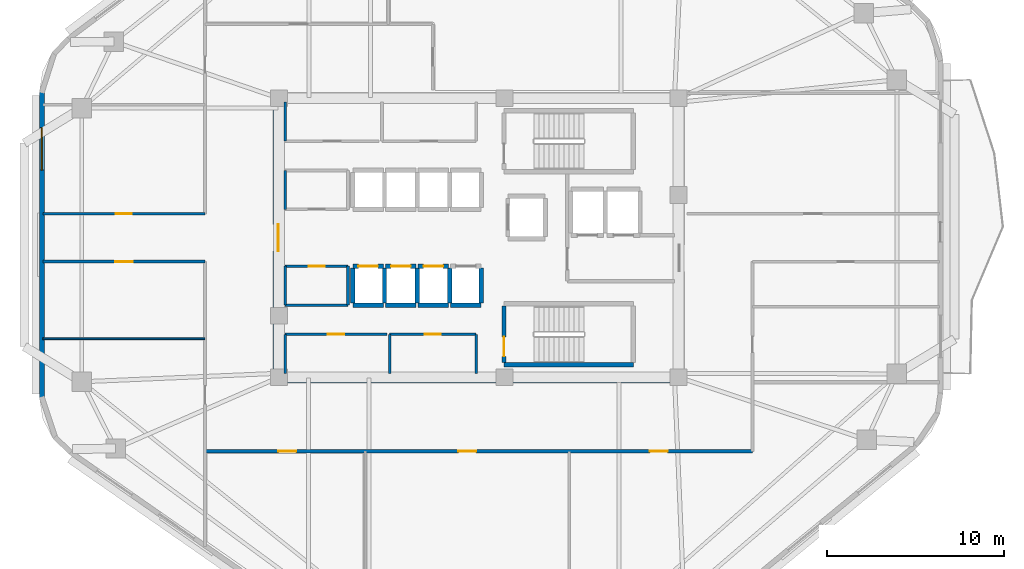
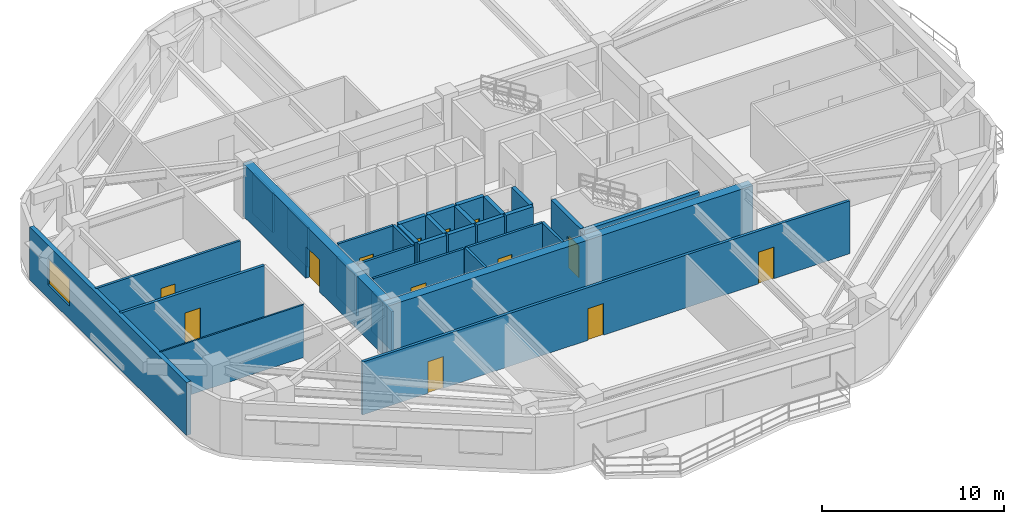
# One storey, part 3 of 8: 32 walls, 13 doors, 1 window, 14 openings.
"""IFC4 building model written with IfcOpenShell, lengths in metres."""

from ifc_helpers import new_model, si_unit, direction, frame, frame_2d, origin, place, context, subcontext, project, spatial, rectangle, extrude, material, layer, layer_set, type_object, element, fill, save


model = new_model("IFC4")

# Units and contexts
model_context = context("Model", 3, precision=1e-05, world=origin(), true_north=direction((0.0, 1.0)))
body_context = subcontext(model_context, "Body", "Model", "MODEL_VIEW")
ifc_project = project(units=[si_unit("LENGTHUNIT", "METRE"), si_unit("AREAUNIT", "SQUARE_METRE"), si_unit("VOLUMEUNIT", "CUBIC_METRE"), si_unit("PLANEANGLEUNIT", "RADIAN"), si_unit("MASSUNIT", "GRAM", prefix="KILO")], contexts=[model_context])

# Site, building, storey
site_placement = place(None, origin())
site = spatial("IfcSite", under=ifc_project, at=site_placement, CompositionType="ELEMENT")
building_placement = place(site_placement, origin())
building = spatial("IfcBuilding", under=site, at=building_placement, Name="Zulverin Broadcast Headquarters", CompositionType="ELEMENT")
storey_placement = place(building_placement, frame((0.0, 0.0, 136.39990234375)))
storey = spatial("IfcBuildingStorey", under=building, at=storey_placement, Name="L34", CompositionType="ELEMENT", Elevation=136.39990234375)

# Wall
ifc_material_1 = material(Name="Concrete C60/75", Category="concrete")
ifc_layer_1 = layer(ifc_material_1, 0.550048828125, Name="Concrete C60/75", Category="concrete")
ifc_layer_set_1 = layer_set([ifc_layer_1], Name="Concrete C60/75")
wall_type_1 = type_object("IfcWallType", Name="WL-CORE-550", PredefinedType="SHEAR", material=ifc_layer_set_1)
wall_1_placement = place(storey_placement, frame((25.39990234375, 17.27490234375, 0.0), z_axis=(0.0, 0.0, 1.0), x_axis=(1.0, 0.0, 0.0)))
element("IfcWall", 1, at=wall_1_placement, inside=storey, type_object=wall_type_1, Name="L34 Core South Shear Wall", PredefinedType="SHEAR", context=body_context, shape_type="SweptSolid", body=[
    extrude(rectangle(XDim=23.2001953125, YDim=0.550048828125, at=frame_2d((11.60009765625, 0.0))), origin(), (0.0, 0.0, 1.0), 3.5400390625),
])

# Wall, opening, door
wall_2_placement = place(storey_placement, frame((25.675048828125, 17.550048828125, 0.0), z_axis=(0.0, 0.0, 1.0), x_axis=(0.0, 1.0, 0.0)))
wall_2 = element("IfcWall", 2, at=wall_2_placement, inside=storey, type_object=wall_type_1, Name="L34 Core West Shear Wall", PredefinedType="SHEAR", context=body_context, shape_type="SweptSolid", body=[
    extrude(rectangle(XDim=15.300048828125, YDim=0.550048828125, at=frame_2d((7.64990234375, 0.0))), origin(), (0.0, 0.0, 1.0), 3.5400390625),
])
opening_1_placement = place(wall_2_placement, frame((6.89990234375, 0.0, 0.0)))
opening_1 = element("IfcOpeningElement", 3, at=opening_1_placement, cuts=wall_2, Name="Opening D-L34-CW1", PredefinedType="OPENING", context=body_context, shape_type="SweptSolid", body=[
    extrude(rectangle(XDim=1.5, YDim=2.14990234375, at=frame_2d((0.75, 1.074951171875))), frame((0.0, 0.284912109375, 0.0), z_axis=(0.0, -1.0, 0.0), x_axis=(1.0, 0.0, 0.0)), (0.0, 0.0, 1.0), 0.570068359375),
])
ifc_material_2 = material(Name="Fire-rated glazed steel frame", Category="steel")
door_type_1 = type_object("IfcDoorType", Name="DR-COR-1500", OperationType="DOUBLE_DOOR_SINGLE_SWING", PredefinedType="DOOR", material=ifc_material_2)
door_1_placement = place(opening_1_placement, origin())
door_1 = element("IfcDoor", 4, at=door_1_placement, inside=storey, type_object=door_type_1, Name="L34 Central Lift Lobby West Portal Door", OperationType="DOUBLE_DOOR_SINGLE_SWING", OverallHeight=2.14990234375, OverallWidth=1.5, PredefinedType="DOOR", context=body_context, shape_type="SweptSolid", body=[
    extrude(rectangle(XDim=1.5, YDim=2.14990234375, at=frame_2d((0.75, 1.074951171875))), frame((0.0, 0.02490234375, 0.0), z_axis=(0.0, -1.0, 0.0), x_axis=(1.0, 0.0, 0.0)), (0.0, 0.0, 1.0), 0.050048828125),
])
fill(opening_1, door_1)

# Wall, opening, window
ifc_material_3 = material(Name="Insulated pale-metal clad concrete spandrel C40/50", Category="concrete")
ifc_layer_2 = layer(ifc_material_3, 0.280029296875, Name="Insulated pale-metal clad concrete spandrel C40/50", Category="concrete")
ifc_layer_set_2 = layer_set([ifc_layer_2], Name="Insulated pale-metal clad concrete spandrel C40/50")
wall_type_2 = type_object("IfcWallType", Name="WL-EXT-280", PredefinedType="STANDARD", material=ifc_layer_set_2)
wall_3_placement = place(storey_placement, frame((12.340087890625, 33.4189453125, 0.0), z_axis=(0.0, 0.0, 1.0), x_axis=(0.0, -1.0, 0.0)))
wall_3 = element("IfcWall", 5, at=wall_3_placement, inside=storey, type_object=wall_type_2, Name="L34 Pale-Metal Clad Spandrel Wall 7", PredefinedType="STANDARD", context=body_context, shape_type="SweptSolid", body=[
    extrude(rectangle(XDim=17.23193359375, YDim=0.280029296875, at=frame_2d((8.615966796875, 0.0))), origin(), (0.0, 0.0, 1.0), 3.5400390625),
])
opening_2_placement = place(wall_3_placement, frame((2.00537109375, 0.0, 0.89990234375)))
opening_2 = element("IfcOpeningElement", 6, at=opening_2_placement, cuts=wall_3, Name="Opening W-L34-E71", PredefinedType="OPENING", context=body_context, shape_type="SweptSolid", body=[
    extrude(rectangle(XDim=2.39990234375, YDim=1.75, at=frame_2d((1.199951171875, 0.875))), frame((0.0, 0.14990234375, 0.0), z_axis=(0.0, -1.0, 0.0), x_axis=(1.0, 0.0, 0.0)), (0.0, 0.0, 1.0), 0.300048828125),
])
ifc_material_4 = material(Name="Pale anodized aluminium frame with solar-control low-E double glazing", Category="aluminium")
window_type = type_object("IfcWindowType", Name="WIN-RIB-2400", PartitioningType="SINGLE_PANEL", PredefinedType="WINDOW", material=ifc_material_4)
window_placement = place(opening_2_placement, origin())
window = element("IfcWindow", 7, at=window_placement, inside=storey, type_object=window_type, Name="L34 Ribbon Glazing Window 7 1", OverallHeight=1.75, OverallWidth=2.39990234375, PartitioningType="SINGLE_PANEL", PredefinedType="WINDOW", context=body_context, shape_type="SweptSolid", body=[
    extrude(rectangle(XDim=2.39990234375, YDim=1.75, at=frame_2d((1.199951171875, 0.875))), frame((0.0, 0.030029296875, 0.0), z_axis=(0.0, -1.0, 0.0), x_axis=(1.0, 0.0, 0.0)), (0.0, 0.0, 1.0), 0.06005859375),
])
fill(opening_2, window)

# Walls
ifc_material_5 = material(Name="Fire-rated acoustic laminated glass screen", Category="glass")
ifc_layer_3 = layer(ifc_material_5, 0.10009765625, Name="Fire-rated acoustic laminated glass screen", Category="glass")
ifc_layer_set_3 = layer_set([ifc_layer_3], Name="Fire-rated acoustic laminated glass screen")
wall_type_3 = type_object("IfcWallType", Name="WL-GLAZ-100", PredefinedType="PARTITIONING", material=ifc_layer_set_3)
wall_4_placement = place(storey_placement, frame((12.405029296875, 19.5, 0.0), z_axis=(0.0, 0.0, 1.0), x_axis=(1.0, 0.0, 0.0)))
element("IfcWall", 8, at=wall_4_placement, inside=storey, type_object=wall_type_3, Name="L34 Room Partition Wall RP-10", PredefinedType="PARTITIONING", context=body_context, shape_type="SweptSolid", body=[
    extrude(rectangle(XDim=9.14501953125, YDim=0.10009765625, at=frame_2d((4.572509765625, 0.0))), origin(), (0.0, 0.0, 1.0), 3.5400390625),
])
ifc_material_6 = material(Name="Fire-rated gypsum stud partition", Category="gypsum")
ifc_layer_4 = layer(ifc_material_6, 0.14990234375, Name="Fire-rated gypsum stud partition", Category="gypsum")
ifc_layer_set_4 = layer_set([ifc_layer_4], Name="Fire-rated gypsum stud partition")
wall_type_4 = type_object("IfcWallType", Name="WL-PART-150", PredefinedType="PARTITIONING", material=ifc_layer_set_4)
wall_5_placement = place(storey_placement, frame((26.070068359375, 30.64990234375, 0.0), z_axis=(0.0, 0.0, 1.0), x_axis=(0.0, 1.0, 0.0)))
element("IfcWall", 9, at=wall_5_placement, inside=storey, type_object=wall_type_4, Name="L34 Core Male WC West Wall", PredefinedType="PARTITIONING", context=body_context, shape_type="SweptSolid", body=[
    extrude(rectangle(XDim=2.2001953125, YDim=0.14990234375, at=frame_2d((1.10009765625, 0.0))), origin(), (0.0, 0.0, 1.0), 2.64013671875),
])

# Wall, opening, door
wall_6_placement = place(storey_placement, frame((26.070068359375, 19.75, 0.0), z_axis=(0.0, 0.0, 1.0), x_axis=(1.0, 0.0, 0.0)))
wall_6 = element("IfcWall", 10, at=wall_6_placement, inside=storey, type_object=wall_type_4, Name="L34 Core Female WC Front Wall", PredefinedType="PARTITIONING", context=body_context, shape_type="SweptSolid", body=[
    extrude(rectangle(XDim=5.739990234375, YDim=0.14990234375, at=frame_2d((2.8701171875, 0.0))), origin(), (0.0, 0.0, 1.0), 3.5400390625),
])
opening_3_placement = place(wall_6_placement, frame((2.39501953125, 0.0, 0.0)))
opening_3 = element("IfcOpeningElement", 11, at=opening_3_placement, cuts=wall_6, Name="Opening D-L34-SC1", PredefinedType="OPENING", context=body_context, shape_type="SweptSolid", body=[
    extrude(rectangle(XDim=0.949951171875, YDim=2.10009765625, at=frame_2d((0.47509765625, 1.050048828125))), frame((0.0, 0.0849609375, 0.0), z_axis=(0.0, -1.0, 0.0), x_axis=(1.0, 0.0, 0.0)), (0.0, 0.0, 1.0), 0.169921875),
])
ifc_material_7 = material(Name="Fire-rated moisture-resistant laminate leaf", Category="wood")
door_type_2 = type_object("IfcDoorType", Name="DR-WC-950", OperationType="SINGLE_SWING_LEFT", PredefinedType="DOOR", material=ifc_material_7)
door_2_placement = place(opening_3_placement, origin())
door_2 = element("IfcDoor", 12, at=door_2_placement, inside=storey, type_object=door_type_2, Name="L34 Female WC Door", OperationType="SINGLE_SWING_LEFT", OverallHeight=2.10009765625, OverallWidth=0.949951171875, PredefinedType="DOOR", context=body_context, shape_type="SweptSolid", body=[
    extrude(rectangle(XDim=0.949951171875, YDim=2.10009765625, at=frame_2d((0.47509765625, 1.050048828125))), frame((0.0, 0.02490234375, 0.0), z_axis=(0.0, -1.0, 0.0), x_axis=(1.0, 0.0, 0.0)), (0.0, 0.0, 1.0), 0.050048828125),
])
fill(opening_3, door_2)

# Wall
wall_7_placement = place(storey_placement, frame((26.070068359375, 17.550048828125, 0.0), z_axis=(0.0, 0.0, 1.0), x_axis=(0.0, 1.0, 0.0)))
element("IfcWall", 13, at=wall_7_placement, inside=storey, type_object=wall_type_4, Name="L34 Core Female WC West Wall", PredefinedType="PARTITIONING", context=body_context, shape_type="SweptSolid", body=[
    extrude(rectangle(XDim=2.199951171875, YDim=0.14990234375, at=frame_2d((1.10009765625, 0.0))), origin(), (0.0, 0.0, 1.0), 2.64013671875),
])

# Wall, opening, door
wall_8_placement = place(storey_placement, frame((31.969970703125, 19.75, 0.0), z_axis=(0.0, 0.0, 1.0), x_axis=(1.0, 0.0, 0.0)))
wall_8 = element("IfcWall", 14, at=wall_8_placement, inside=storey, type_object=wall_type_4, Name="L34 Core Cleaner Store & Telecoms Riser Front Wall", PredefinedType="PARTITIONING", context=body_context, shape_type="SweptSolid", body=[
    extrude(rectangle(XDim=4.880126953125, YDim=0.14990234375, at=frame_2d((2.43994140625, 0.0))), origin(), (0.0, 0.0, 1.0), 3.5400390625),
])
opening_4_placement = place(wall_8_placement, frame((1.989990234375, 0.0, 0.0)))
opening_4 = element("IfcOpeningElement", 15, at=opening_4_placement, cuts=wall_8, Name="Opening D-L34-SC2", PredefinedType="OPENING", context=body_context, shape_type="SweptSolid", body=[
    extrude(rectangle(XDim=0.89990234375, YDim=2.10009765625, at=frame_2d((0.449951171875, 1.050048828125))), frame((0.0, 0.0849609375, 0.0), z_axis=(0.0, -1.0, 0.0), x_axis=(1.0, 0.0, 0.0)), (0.0, 0.0, 1.0), 0.169921875),
])
ifc_material_8 = material(Name="Powder-coated steel access leaf", Category="steel")
door_type_3 = type_object("IfcDoorType", Name="DR-RISER-900", OperationType="SINGLE_SWING_LEFT", PredefinedType="DOOR", material=ifc_material_8)
door_3_placement = place(opening_4_placement, origin())
door_3 = element("IfcDoor", 16, at=door_3_placement, inside=storey, type_object=door_type_3, Name="L34 Cleaner Store & Telecoms Riser Door", OperationType="SINGLE_SWING_RIGHT", OverallHeight=2.10009765625, OverallWidth=0.89990234375, PredefinedType="DOOR", context=body_context, shape_type="SweptSolid", body=[
    extrude(rectangle(XDim=0.89990234375, YDim=2.10009765625, at=frame_2d((0.449951171875, 1.050048828125))), frame((0.0, 0.02490234375, 0.0), z_axis=(0.0, -1.0, 0.0), x_axis=(1.0, 0.0, 0.0)), (0.0, 0.0, 1.0), 0.050048828125),
])
fill(opening_4, door_3)

# Walls
for number, where, z_axis, x_axis, name in (
    (17, (31.969970703125, 17.550048828125, 0.0), (0.0, 0.0, 1.0), (0.0, 1.0, 0.0), "L34 Core Cleaner Store & Telecoms Riser West Wall"),
    (18, (36.85009765625, 17.550048828125, 0.0), (0.0, 0.0, 1.0), (0.0, 1.0, 0.0), "L34 Core Cleaner Store & Telecoms Riser East Wall"),
):
    element("IfcWall", number, at=place(storey_placement, frame(where, z_axis=z_axis, x_axis=x_axis)), inside=storey, type_object=wall_type_4, Name=name, PredefinedType="PARTITIONING", context=body_context, shape_type="SweptSolid", body=[
        extrude(rectangle(XDim=2.199951171875, YDim=0.14990234375, at=frame_2d((1.10009765625, 0.0))), origin(), (0.0, 0.0, 1.0), 3.5400390625),
    ])
wall_9_placement = place(storey_placement, frame((26.070068359375, 26.800048828125, 0.0), z_axis=(0.0, 0.0, 1.0), x_axis=(0.0, 1.0, 0.0)))
element("IfcWall", 19, at=wall_9_placement, inside=storey, type_object=wall_type_4, Name="L34 Broadcast Signal Patch Room W Wall", PredefinedType="PARTITIONING", context=body_context, shape_type="SweptSolid", body=[
    extrude(rectangle(XDim=2.199951171875, YDim=0.14990234375, at=frame_2d((1.10009765625, 0.0))), origin(), (0.0, 0.0, 1.0), 2.64013671875),
])
wall_10_placement = place(storey_placement, frame((26.070068359375, 21.39990234375, 0.0), z_axis=(0.0, 0.0, 1.0), x_axis=(1.0, 0.0, 0.0)))
element("IfcWall", 20, at=wall_10_placement, inside=storey, type_object=wall_type_4, Name="L34 Media Ingestion Server Room S Wall", PredefinedType="PARTITIONING", context=body_context, shape_type="SweptSolid", body=[
    extrude(rectangle(XDim=3.550048828125, YDim=0.14990234375, at=frame_2d((1.77490234375, 0.0))), origin(), (0.0, 0.0, 1.0), 3.5400390625),
])

# Wall, opening, door
wall_11_placement = place(storey_placement, frame((26.070068359375, 23.60009765625, 0.0), z_axis=(0.0, 0.0, 1.0), x_axis=(1.0, 0.0, 0.0)))
wall_11 = element("IfcWall", 21, at=wall_11_placement, inside=storey, type_object=wall_type_4, Name="L34 Media Ingestion Server Room N Wall", PredefinedType="PARTITIONING", context=body_context, shape_type="SweptSolid", body=[
    extrude(rectangle(XDim=3.550048828125, YDim=0.14990234375, at=frame_2d((1.77490234375, 0.0))), origin(), (0.0, 0.0, 1.0), 3.5400390625),
])
opening_5_placement = place(wall_11_placement, frame((1.324951171875, 0.0, 0.0)))
opening_5 = element("IfcOpeningElement", 22, at=opening_5_placement, cuts=wall_11, Name="Opening D-L34-RCLS", PredefinedType="OPENING", context=body_context, shape_type="SweptSolid", body=[
    extrude(rectangle(XDim=0.89990234375, YDim=2.10009765625, at=frame_2d((0.449951171875, 1.050048828125))), frame((0.0, 0.0849609375, 0.0), z_axis=(0.0, -1.0, 0.0), x_axis=(1.0, 0.0, 0.0)), (0.0, 0.0, 1.0), 0.169921875),
])
door_4_placement = place(opening_5_placement, origin())
door_4 = element("IfcDoor", 23, at=door_4_placement, inside=storey, type_object=door_type_3, Name="L34 Media Ingestion Server Room Door", OperationType="SINGLE_SWING_RIGHT", OverallHeight=2.10009765625, OverallWidth=0.89990234375, PredefinedType="DOOR", context=body_context, shape_type="SweptSolid", body=[
    extrude(rectangle(XDim=0.89990234375, YDim=2.10009765625, at=frame_2d((0.449951171875, 1.050048828125))), frame((0.0, 0.02490234375, 0.0), z_axis=(0.0, -1.0, 0.0), x_axis=(1.0, 0.0, 0.0)), (0.0, 0.0, 1.0), 0.050048828125),
])
fill(opening_5, door_4)

# Walls
wall_12_placement = place(storey_placement, frame((26.070068359375, 21.39990234375, 0.0), z_axis=(0.0, 0.0, 1.0), x_axis=(0.0, 1.0, 0.0)))
element("IfcWall", 24, at=wall_12_placement, inside=storey, type_object=wall_type_4, Name="L34 Media Ingestion Server Room W Wall", PredefinedType="PARTITIONING", context=body_context, shape_type="SweptSolid", body=[
    extrude(rectangle(XDim=2.2001953125, YDim=0.14990234375, at=frame_2d((1.10009765625, 0.0))), origin(), (0.0, 0.0, 1.0), 2.64013671875),
])
wall_13_placement = place(storey_placement, frame((29.6201171875, 21.39990234375, 0.0), z_axis=(0.0, 0.0, 1.0), x_axis=(0.0, 1.0, 0.0)))
element("IfcWall", 25, at=wall_13_placement, inside=storey, type_object=wall_type_4, Name="L34 Media Ingestion Server Room E Wall", PredefinedType="PARTITIONING", context=body_context, shape_type="SweptSolid", body=[
    extrude(rectangle(XDim=2.2001953125, YDim=0.14990234375, at=frame_2d((1.10009765625, 0.0))), origin(), (0.0, 0.0, 1.0), 3.5400390625),
])

# Wall, opening, door
wall_14_placement = place(storey_placement, frame((12.405029296875, 26.550048828125, 0.0), z_axis=(0.0, 0.0, 1.0), x_axis=(1.0, 0.0, 0.0)))
wall_14 = element("IfcWall", 26, at=wall_14_placement, inside=storey, type_object=wall_type_4, Name="L34 Gallery Partition Wall CG-14", PredefinedType="PARTITIONING", context=body_context, shape_type="SweptSolid", body=[
    extrude(rectangle(XDim=9.14501953125, YDim=0.14990234375, at=frame_2d((4.572509765625, 0.0))), origin(), (0.0, 0.0, 1.0), 3.5400390625),
])
opening_6_placement = place(wall_14_placement, frame((4.12255859375, 0.0, 0.0)))
opening_6 = element("IfcOpeningElement", 27, at=opening_6_placement, cuts=wall_14, Name="Opening D-L34-08", PredefinedType="OPENING", context=body_context, shape_type="SweptSolid", body=[
    extrude(rectangle(XDim=0.89990234375, YDim=2.10009765625, at=frame_2d((0.449951171875, 1.050048828125))), frame((0.0, 0.0849609375, 0.0), z_axis=(0.0, -1.0, 0.0), x_axis=(1.0, 0.0, 0.0)), (0.0, 0.0, 1.0), 0.169921875),
])
ifc_material_9 = material(Name="Fire-rated hardwood veneer timber leaf", Category="wood")
door_type_4 = type_object("IfcDoorType", Name="DR-ROOM-900", OperationType="SINGLE_SWING_RIGHT", PredefinedType="DOOR", material=ifc_material_9)
door_5_placement = place(opening_6_placement, origin())
door_5 = element("IfcDoor", 28, at=door_5_placement, inside=storey, type_object=door_type_4, Name="L34 Conference Room Door", OperationType="SINGLE_SWING_RIGHT", OverallHeight=2.10009765625, OverallWidth=0.89990234375, PredefinedType="DOOR", context=body_context, shape_type="SweptSolid", body=[
    extrude(rectangle(XDim=0.89990234375, YDim=2.10009765625, at=frame_2d((0.449951171875, 1.050048828125))), frame((0.0, 0.02490234375, 0.0), z_axis=(0.0, -1.0, 0.0), x_axis=(1.0, 0.0, 0.0)), (0.0, 0.0, 1.0), 0.050048828125),
])
fill(opening_6, door_5)

# Wall, openings, doors
ifc_material_10 = material(Name="Fire-rated acoustic stud wall", Category="gypsum")
ifc_layer_5 = layer(ifc_material_10, 0.175048828125, Name="Fire-rated acoustic stud wall", Category="gypsum")
ifc_layer_set_5 = layer_set([ifc_layer_5], Name="Fire-rated acoustic stud wall")
wall_type_5 = type_object("IfcWallType", Name="WL-PART-175", PredefinedType="PARTITIONING", material=ifc_layer_set_5)
wall_15_placement = place(storey_placement, frame((21.550048828125, 13.14990234375, 0.0), z_axis=(0.0, 0.0, 1.0), x_axis=(1.0, 0.0, 0.0)))
wall_15 = element("IfcWall", 29, at=wall_15_placement, inside=storey, type_object=wall_type_5, Name="L34 Gallery Partition Wall CG-08", PredefinedType="PARTITIONING", context=body_context, shape_type="SweptSolid", body=[
    extrude(rectangle(XDim=30.89990234375, YDim=0.175048828125, at=frame_2d((15.449951171875, 0.0))), origin(), (0.0, 0.0, 1.0), 3.5400390625),
])
opening_7_placement = place(wall_15_placement, frame((4.14501953125, 0.0, 0.0)))
opening_7 = element("IfcOpeningElement", 30, at=opening_7_placement, cuts=wall_15, Name="Opening D-L34-03", PredefinedType="OPENING", context=body_context, shape_type="SweptSolid", body=[
    extrude(rectangle(XDim=1.0, YDim=2.1201171875, at=frame_2d((0.5, 1.06005859375))), frame((0.0, 0.097412109375, 0.0), z_axis=(0.0, -1.0, 0.0), x_axis=(1.0, 0.0, 0.0)), (0.0, 0.0, 1.0), 0.195068359375),
])
opening_8_placement = place(wall_15_placement, frame((14.300048828125, 0.0, 0.0)))
opening_8 = element("IfcOpeningElement", 31, at=opening_8_placement, cuts=wall_15, Name="Opening D-L34-04", PredefinedType="OPENING", context=body_context, shape_type="SweptSolid", body=[
    extrude(rectangle(XDim=1.0, YDim=2.1201171875, at=frame_2d((0.5, 1.06005859375))), frame((0.0, 0.097412109375, 0.0), z_axis=(0.0, -1.0, 0.0), x_axis=(1.0, 0.0, 0.0)), (0.0, 0.0, 1.0), 0.195068359375),
])
opening_9_placement = place(wall_15_placement, frame((25.10498046875, 0.0, 0.0)))
opening_9 = element("IfcOpeningElement", 32, at=opening_9_placement, cuts=wall_15, Name="Opening D-L34-05", PredefinedType="OPENING", context=body_context, shape_type="SweptSolid", body=[
    extrude(rectangle(XDim=1.0, YDim=2.1201171875, at=frame_2d((0.5, 1.06005859375))), frame((0.0, 0.097412109375, 0.0), z_axis=(0.0, -1.0, 0.0), x_axis=(1.0, 0.0, 0.0)), (0.0, 0.0, 1.0), 0.195068359375),
])
ifc_material_11 = material(Name="Hardwood veneer acoustic leaf", Category="wood")
door_type_5 = type_object("IfcDoorType", Name="DR-OFF-1000", OperationType="SINGLE_SWING_LEFT", PredefinedType="DOOR", material=ifc_material_11)
door_6_placement = place(opening_7_placement, origin())
door_6 = element("IfcDoor", 33, at=door_6_placement, inside=storey, type_object=door_type_5, Name="L34 Social Media Workplace Door", OperationType="SINGLE_SWING_LEFT", OverallHeight=2.1201171875, OverallWidth=1.0, PredefinedType="DOOR", context=body_context, shape_type="SweptSolid", body=[
    extrude(rectangle(XDim=1.0, YDim=2.1201171875, at=frame_2d((0.5, 1.06005859375))), frame((0.0, 0.02490234375, 0.0), z_axis=(0.0, -1.0, 0.0), x_axis=(1.0, 0.0, 0.0)), (0.0, 0.0, 1.0), 0.050048828125),
])
fill(opening_7, door_6)
door_7_placement = place(opening_8_placement, origin())
door_7 = element("IfcDoor", 34, at=door_7_placement, inside=storey, type_object=door_type_5, Name="L34 Translation Office Door", OperationType="SINGLE_SWING_RIGHT", OverallHeight=2.1201171875, OverallWidth=1.0, PredefinedType="DOOR", context=body_context, shape_type="SweptSolid", body=[
    extrude(rectangle(XDim=1.0, YDim=2.1201171875, at=frame_2d((0.5, 1.06005859375))), frame((0.0, 0.02490234375, 0.0), z_axis=(0.0, -1.0, 0.0), x_axis=(1.0, 0.0, 0.0)), (0.0, 0.0, 1.0), 0.050048828125),
])
fill(opening_8, door_7)
door_8_placement = place(opening_9_placement, origin())
door_8 = element("IfcDoor", 35, at=door_8_placement, inside=storey, type_object=door_type_5, Name="L34 Standards Office Door", OperationType="SINGLE_SWING_LEFT", OverallHeight=2.1201171875, OverallWidth=1.0, PredefinedType="DOOR", context=body_context, shape_type="SweptSolid", body=[
    extrude(rectangle(XDim=1.0, YDim=2.1201171875, at=frame_2d((0.5, 1.06005859375))), frame((0.0, 0.02490234375, 0.0), z_axis=(0.0, -1.0, 0.0), x_axis=(1.0, 0.0, 0.0)), (0.0, 0.0, 1.0), 0.050048828125),
])
fill(opening_9, door_8)

# Wall, opening, door
wall_16_placement = place(storey_placement, frame((12.405029296875, 23.85009765625, 0.0), z_axis=(0.0, 0.0, 1.0), x_axis=(1.0, 0.0, 0.0)))
wall_16 = element("IfcWall", 36, at=wall_16_placement, inside=storey, type_object=wall_type_5, Name="L34 Gallery Partition Wall CG-12", PredefinedType="PARTITIONING", context=body_context, shape_type="SweptSolid", body=[
    extrude(rectangle(XDim=9.14501953125, YDim=0.175048828125, at=frame_2d((4.572509765625, 0.0))), origin(), (0.0, 0.0, 1.0), 3.5400390625),
])
opening_10_placement = place(wall_16_placement, frame((4.072509765625, 0.0, 0.0)))
opening_10 = element("IfcOpeningElement", 37, at=opening_10_placement, cuts=wall_16, Name="Opening D-L34-07", PredefinedType="OPENING", context=body_context, shape_type="SweptSolid", body=[
    extrude(rectangle(XDim=1.0, YDim=2.1201171875, at=frame_2d((0.5, 1.06005859375))), frame((0.0, 0.097412109375, 0.0), z_axis=(0.0, -1.0, 0.0), x_axis=(1.0, 0.0, 0.0)), (0.0, 0.0, 1.0), 0.195068359375),
])
door_9_placement = place(opening_10_placement, origin())
door_9 = element("IfcDoor", 38, at=door_9_placement, inside=storey, type_object=door_type_5, Name="L34 Admin Office Door", OperationType="SINGLE_SWING_LEFT", OverallHeight=2.1201171875, OverallWidth=1.0, PredefinedType="DOOR", context=body_context, shape_type="SweptSolid", body=[
    extrude(rectangle(XDim=1.0, YDim=2.1201171875, at=frame_2d((0.5, 1.06005859375))), frame((0.0, 0.02490234375, 0.0), z_axis=(0.0, -1.0, 0.0), x_axis=(1.0, 0.0, 0.0)), (0.0, 0.0, 1.0), 0.050048828125),
])
fill(opening_10, door_9)

# Wall
ifc_material_12 = material(Name="Concrete C50/60", Category="concrete")
ifc_layer_6 = layer(ifc_material_12, 0.25, Name="Concrete C50/60", Category="concrete")
ifc_layer_set_6 = layer_set([ifc_layer_6], Name="Concrete C50/60")
wall_type_6 = type_object("IfcWallType", Name="WL-SHAFT-250", PredefinedType="SHEAR", material=ifc_layer_set_6)
wall_17_placement = place(storey_placement, frame((38.425048828125, 18.02490234375, 0.0), z_axis=(0.0, 0.0, 1.0), x_axis=(1.0, 0.0, 0.0)))
element("IfcWall", 39, at=wall_17_placement, inside=storey, type_object=wall_type_6, Name="L34 ST-2 Enclosure Wall S", PredefinedType="SHEAR", context=body_context, shape_type="SweptSolid", body=[
    extrude(rectangle(XDim=7.300048828125, YDim=0.25, at=frame_2d((3.64990234375, 0.0))), origin(), (0.0, 0.0, 1.0), 3.5400390625),
])

# Wall, opening, door
wall_18_placement = place(storey_placement, frame((38.425048828125, 18.14990234375, 0.0), z_axis=(0.0, 0.0, 1.0), x_axis=(0.0, 1.0, 0.0)))
wall_18 = element("IfcWall", 40, at=wall_18_placement, inside=storey, type_object=wall_type_6, Name="L34 ST-2 Enclosure Wall W", PredefinedType="SHEAR", context=body_context, shape_type="SweptSolid", body=[
    extrude(rectangle(XDim=3.2001953125, YDim=0.25, at=frame_2d((1.60009765625, 0.0))), origin(), (0.0, 0.0, 1.0), 3.5400390625),
])
opening_11_placement = place(wall_18_placement, frame((0.35009765625, 0.0, 0.0)))
opening_11 = element("IfcOpeningElement", 41, at=opening_11_placement, cuts=wall_18, Name="Opening D-L34-ST-2", PredefinedType="OPENING", context=body_context, shape_type="SweptSolid", body=[
    extrude(rectangle(XDim=1.10009765625, YDim=2.14990234375, at=frame_2d((0.550048828125, 1.074951171875))), frame((0.0, 0.135009765625, 0.0), z_axis=(0.0, -1.0, 0.0), x_axis=(1.0, 0.0, 0.0)), (0.0, 0.0, 1.0), 0.27001953125),
])
ifc_material_13 = material(Name="Fire-rated steel leaf and frame", Category="steel")
door_type_6 = type_object("IfcDoorType", Name="DR-STAIR-1100", OperationType="SINGLE_SWING_LEFT", PredefinedType="DOOR", material=ifc_material_13)
door_10_placement = place(opening_11_placement, origin())
door_10 = element("IfcDoor", 42, at=door_10_placement, inside=storey, type_object=door_type_6, Name="L34 Exit Stair ST-2 Fire Door", OperationType="SINGLE_SWING_RIGHT", OverallHeight=2.14990234375, OverallWidth=1.10009765625, PredefinedType="DOOR", context=body_context, shape_type="SweptSolid", body=[
    extrude(rectangle(XDim=1.10009765625, YDim=2.14990234375, at=frame_2d((0.550048828125, 1.074951171875))), frame((0.0, 0.02490234375, 0.0), z_axis=(0.0, -1.0, 0.0), x_axis=(1.0, 0.0, 0.0)), (0.0, 0.0, 1.0), 0.050048828125),
])
fill(opening_11, door_10)

# Wall
wall_19_placement = place(storey_placement, frame((29.89990234375, 21.39990234375, 0.0), z_axis=(0.0, 0.0, 1.0), x_axis=(1.0, 0.0, 0.0)))
element("IfcWall", 43, at=wall_19_placement, inside=storey, type_object=wall_type_6, Name="L34 Lift PL-M1 Shaft Wall S", PredefinedType="SHEAR", context=body_context, shape_type="SweptSolid", body=[
    extrude(rectangle(XDim=1.72021484375, YDim=0.25, at=frame_2d((0.860107421875, 0.0))), origin(), (0.0, 0.0, 1.0), 3.5400390625),
])

# Wall, opening, door
wall_20_placement = place(storey_placement, frame((29.89990234375, 23.60009765625, 0.0), z_axis=(0.0, 0.0, 1.0), x_axis=(1.0, 0.0, 0.0)))
wall_20 = element("IfcWall", 44, at=wall_20_placement, inside=storey, type_object=wall_type_6, Name="L34 Lift PL-M1 Shaft Wall N", PredefinedType="SHEAR", context=body_context, shape_type="SweptSolid", body=[
    extrude(rectangle(XDim=1.72021484375, YDim=0.25, at=frame_2d((0.860107421875, 0.0))), origin(), (0.0, 0.0, 1.0), 3.5400390625),
])
opening_12_placement = place(wall_20_placement, frame((0.31005859375, 0.0, 0.0)))
opening_12 = element("IfcOpeningElement", 45, at=opening_12_placement, cuts=wall_20, Name="Opening LD-PL-M1-L34", PredefinedType="OPENING", context=body_context, shape_type="SweptSolid", body=[
    extrude(rectangle(XDim=1.10009765625, YDim=2.14990234375, at=frame_2d((0.550048828125, 1.074951171875))), frame((0.0, 0.135009765625, 0.0), z_axis=(0.0, -1.0, 0.0), x_axis=(1.0, 0.0, 0.0)), (0.0, 0.0, 1.0), 0.27001953125),
])
ifc_material_14 = material(Name="Brushed stainless steel landing", Category="steel")
door_type_7 = type_object("IfcDoorType", Name="LD-PASS-1100", OperationType="DOUBLE_DOOR_SLIDING", PredefinedType="DOOR", material=ifc_material_14)
door_11_placement = place(opening_12_placement, origin())
door_11 = element("IfcDoor", 46, at=door_11_placement, inside=storey, type_object=door_type_7, Name="L34 Lift PL-M1 Sliding Landing Door", OperationType="DOUBLE_DOOR_SLIDING", OverallHeight=2.14990234375, OverallWidth=1.10009765625, PredefinedType="DOOR", context=body_context, shape_type="SweptSolid", body=[
    extrude(rectangle(XDim=1.10009765625, YDim=2.14990234375, at=frame_2d((0.550048828125, 1.074951171875))), frame((0.0, 0.02490234375, 0.0), z_axis=(0.0, -1.0, 0.0), x_axis=(1.0, 0.0, 0.0)), (0.0, 0.0, 1.0), 0.050048828125),
])
fill(opening_12, door_11)

# Walls
for number, where, z_axis, x_axis, name in (
    (47, (29.89990234375, 21.52001953125, 0.0), (0.0, 0.0, 1.0), (0.0, 1.0, 0.0), "L34 Lift PL-M1 Shaft Wall W"),
    (48, (31.679931640625, 21.52001953125, 0.0), (0.0, 0.0, 1.0), (0.0, 1.0, 0.0), "L34 Lift PL-M1 Shaft Wall E"),
):
    element("IfcWall", number, at=place(storey_placement, frame(where, z_axis=z_axis, x_axis=x_axis)), inside=storey, type_object=wall_type_6, Name=name, PredefinedType="SHEAR", context=body_context, shape_type="SweptSolid", body=[
        extrude(rectangle(XDim=1.9599609375, YDim=0.25, at=frame_2d((0.97998046875, 0.0))), origin(), (0.0, 0.0, 1.0), 3.5400390625),
    ])
wall_21_placement = place(storey_placement, frame((31.739990234375, 21.39990234375, 0.0), z_axis=(0.0, 0.0, 1.0), x_axis=(1.0, 0.0, 0.0)))
element("IfcWall", 49, at=wall_21_placement, inside=storey, type_object=wall_type_6, Name="L34 Lift PL-M2 Shaft Wall S", PredefinedType="SHEAR", context=body_context, shape_type="SweptSolid", body=[
    extrude(rectangle(XDim=1.719970703125, YDim=0.25, at=frame_2d((0.85986328125, 0.0))), origin(), (0.0, 0.0, 1.0), 3.5400390625),
])

# Wall, opening, door
wall_22_placement = place(storey_placement, frame((31.739990234375, 23.60009765625, 0.0), z_axis=(0.0, 0.0, 1.0), x_axis=(1.0, 0.0, 0.0)))
wall_22 = element("IfcWall", 50, at=wall_22_placement, inside=storey, type_object=wall_type_6, Name="L34 Lift PL-M2 Shaft Wall N", PredefinedType="SHEAR", context=body_context, shape_type="SweptSolid", body=[
    extrude(rectangle(XDim=1.719970703125, YDim=0.25, at=frame_2d((0.85986328125, 0.0))), origin(), (0.0, 0.0, 1.0), 3.5400390625),
])
opening_13_placement = place(wall_22_placement, frame((0.31005859375, 0.0, 0.0)))
opening_13 = element("IfcOpeningElement", 51, at=opening_13_placement, cuts=wall_22, Name="Opening LD-PL-M2-L34", PredefinedType="OPENING", context=body_context, shape_type="SweptSolid", body=[
    extrude(rectangle(XDim=1.10009765625, YDim=2.14990234375, at=frame_2d((0.550048828125, 1.074951171875))), frame((0.0, 0.135009765625, 0.0), z_axis=(0.0, -1.0, 0.0), x_axis=(1.0, 0.0, 0.0)), (0.0, 0.0, 1.0), 0.27001953125),
])
door_12_placement = place(opening_13_placement, origin())
door_12 = element("IfcDoor", 52, at=door_12_placement, inside=storey, type_object=door_type_7, Name="L34 Lift PL-M2 Sliding Landing Door", OperationType="DOUBLE_DOOR_SLIDING", OverallHeight=2.14990234375, OverallWidth=1.10009765625, PredefinedType="DOOR", context=body_context, shape_type="SweptSolid", body=[
    extrude(rectangle(XDim=1.10009765625, YDim=2.14990234375, at=frame_2d((0.550048828125, 1.074951171875))), frame((0.0, 0.02490234375, 0.0), z_axis=(0.0, -1.0, 0.0), x_axis=(1.0, 0.0, 0.0)), (0.0, 0.0, 1.0), 0.050048828125),
])
fill(opening_13, door_12)

# Walls
wall_23_placement = place(storey_placement, frame((33.52001953125, 21.52001953125, 0.0), z_axis=(0.0, 0.0, 1.0), x_axis=(0.0, 1.0, 0.0)))
element("IfcWall", 53, at=wall_23_placement, inside=storey, type_object=wall_type_6, Name="L34 Lift PL-M2 Shaft Wall E", PredefinedType="SHEAR", context=body_context, shape_type="SweptSolid", body=[
    extrude(rectangle(XDim=1.9599609375, YDim=0.25, at=frame_2d((0.97998046875, 0.0))), origin(), (0.0, 0.0, 1.0), 3.5400390625),
])
wall_24_placement = place(storey_placement, frame((33.580078125, 21.39990234375, 0.0), z_axis=(0.0, 0.0, 1.0), x_axis=(1.0, 0.0, 0.0)))
element("IfcWall", 54, at=wall_24_placement, inside=storey, type_object=wall_type_6, Name="L34 Lift PL-M3 Shaft Wall S", PredefinedType="SHEAR", context=body_context, shape_type="SweptSolid", body=[
    extrude(rectangle(XDim=1.719970703125, YDim=0.25, at=frame_2d((0.85986328125, 0.0))), origin(), (0.0, 0.0, 1.0), 3.5400390625),
])

# Wall, opening, door
wall_25_placement = place(storey_placement, frame((33.580078125, 23.60009765625, 0.0), z_axis=(0.0, 0.0, 1.0), x_axis=(1.0, 0.0, 0.0)))
wall_25 = element("IfcWall", 55, at=wall_25_placement, inside=storey, type_object=wall_type_6, Name="L34 Lift PL-M3 Shaft Wall N", PredefinedType="SHEAR", context=body_context, shape_type="SweptSolid", body=[
    extrude(rectangle(XDim=1.719970703125, YDim=0.25, at=frame_2d((0.85986328125, 0.0))), origin(), (0.0, 0.0, 1.0), 3.5400390625),
])
opening_14_placement = place(wall_25_placement, frame((0.31005859375, 0.0, 0.0)))
opening_14 = element("IfcOpeningElement", 56, at=opening_14_placement, cuts=wall_25, Name="Opening LD-PL-M3-L34", PredefinedType="OPENING", context=body_context, shape_type="SweptSolid", body=[
    extrude(rectangle(XDim=1.10009765625, YDim=2.14990234375, at=frame_2d((0.550048828125, 1.074951171875))), frame((0.0, 0.135009765625, 0.0), z_axis=(0.0, -1.0, 0.0), x_axis=(1.0, 0.0, 0.0)), (0.0, 0.0, 1.0), 0.27001953125),
])
door_13_placement = place(opening_14_placement, origin())
door_13 = element("IfcDoor", 57, at=door_13_placement, inside=storey, type_object=door_type_7, Name="L34 Lift PL-M3 Sliding Landing Door", OperationType="DOUBLE_DOOR_SLIDING", OverallHeight=2.14990234375, OverallWidth=1.10009765625, PredefinedType="DOOR", context=body_context, shape_type="SweptSolid", body=[
    extrude(rectangle(XDim=1.10009765625, YDim=2.14990234375, at=frame_2d((0.550048828125, 1.074951171875))), frame((0.0, 0.02490234375, 0.0), z_axis=(0.0, -1.0, 0.0), x_axis=(1.0, 0.0, 0.0)), (0.0, 0.0, 1.0), 0.050048828125),
])
fill(opening_14, door_13)

# Walls
wall_26_placement = place(storey_placement, frame((35.360107421875, 21.52001953125, 0.0), z_axis=(0.0, 0.0, 1.0), x_axis=(0.0, 1.0, 0.0)))
element("IfcWall", 58, at=wall_26_placement, inside=storey, type_object=wall_type_6, Name="L34 Lift PL-M3 Shaft Wall E", PredefinedType="SHEAR", context=body_context, shape_type="SweptSolid", body=[
    extrude(rectangle(XDim=1.9599609375, YDim=0.25, at=frame_2d((0.97998046875, 0.0))), origin(), (0.0, 0.0, 1.0), 3.5400390625),
])
wall_27_placement = place(storey_placement, frame((35.419921875, 21.39990234375, 0.0), z_axis=(0.0, 0.0, 1.0), x_axis=(1.0, 0.0, 0.0)))
element("IfcWall", 59, at=wall_27_placement, inside=storey, type_object=wall_type_6, Name="L34 Lift PL-M4 Shaft Wall S", PredefinedType="SHEAR", context=body_context, shape_type="SweptSolid", body=[
    extrude(rectangle(XDim=1.719970703125, YDim=0.25, at=frame_2d((0.85986328125, 0.0))), origin(), (0.0, 0.0, 1.0), 3.5400390625),
])
wall_28_placement = place(storey_placement, frame((37.139892578125, 21.52001953125, 0.0), z_axis=(0.0, 0.0, 1.0), x_axis=(0.0, 1.0, 0.0)))
element("IfcWall", 60, at=wall_28_placement, inside=storey, type_object=wall_type_6, Name="L34 Lift PL-M4 Shaft Wall E", PredefinedType="SHEAR", context=body_context, shape_type="SweptSolid", body=[
    extrude(rectangle(XDim=1.9599609375, YDim=0.25, at=frame_2d((0.97998046875, 0.0))), origin(), (0.0, 0.0, 1.0), 3.5400390625),
])

save(model, "model.ifc")
